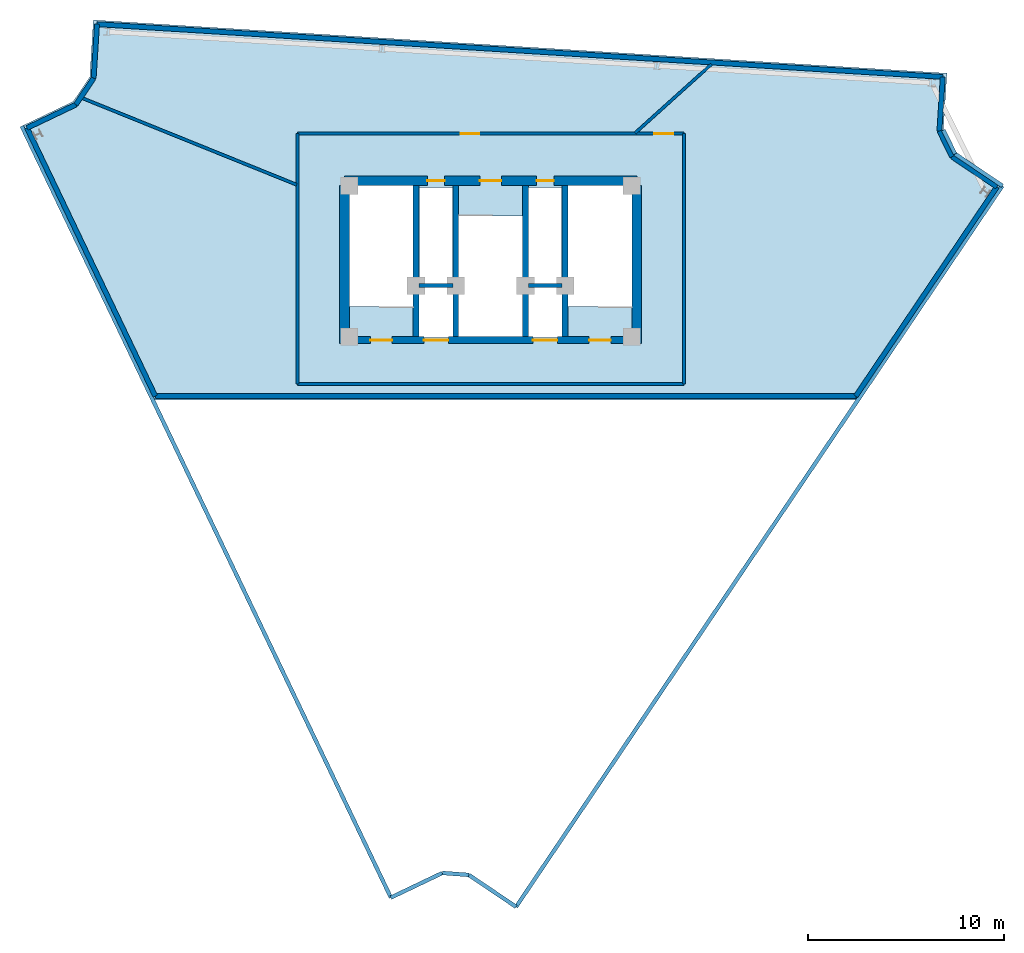
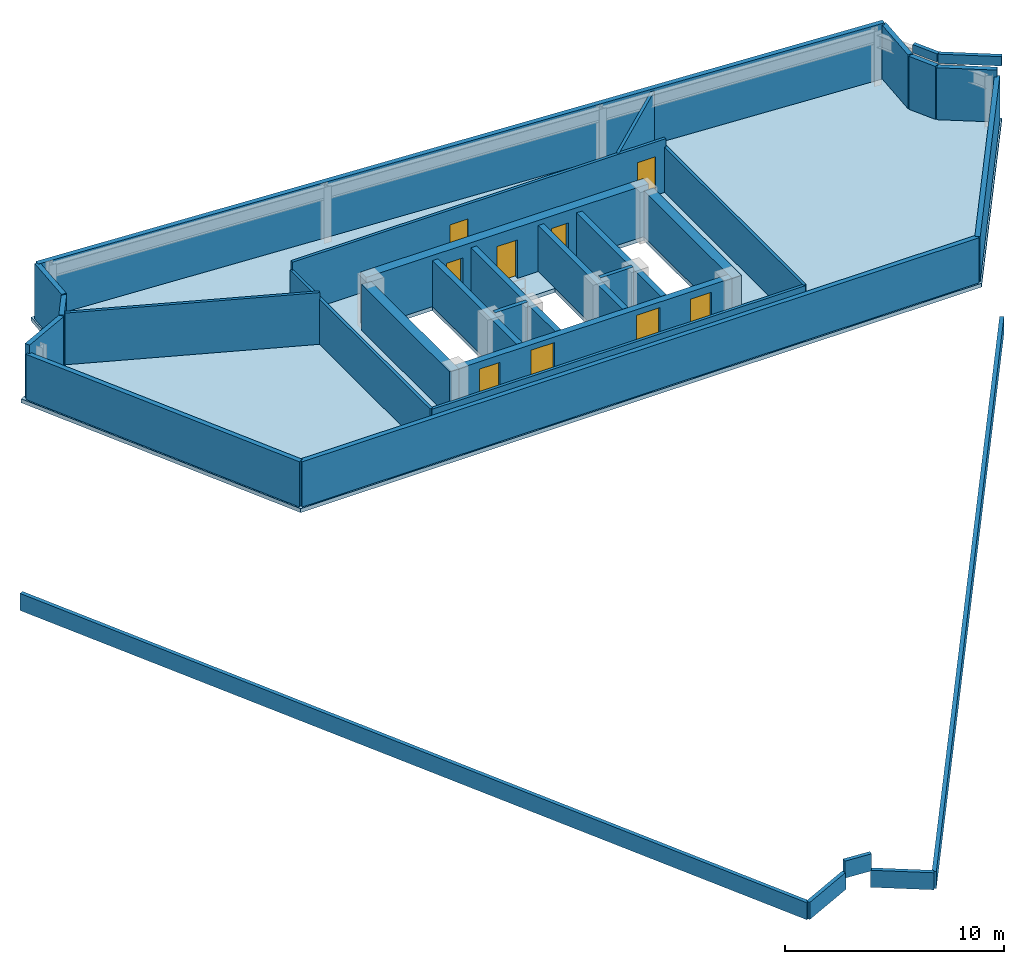
# One storey, part 3 of 4: 33 walls, 9 doors, 1 slab, 9 openings.
"""IFC4 building model written with IfcOpenShell, lengths in metres."""

from ifc_helpers import new_model, si_unit, direction, frame, frame_2d, origin, place, context, subcontext, project, spatial, polyline, rectangle, outline, extrude, material, layer, layer_set, type_object, element, fill, save


model = new_model("IFC4")

# Units and contexts
model_context = context("Model", 3, precision=1e-05, world=origin(), true_north=direction((0.0, 1.0)))
body_context = subcontext(model_context, "Body", "Model", "MODEL_VIEW")
ifc_project = project(units=[si_unit("LENGTHUNIT", "METRE"), si_unit("AREAUNIT", "SQUARE_METRE"), si_unit("VOLUMEUNIT", "CUBIC_METRE"), si_unit("PLANEANGLEUNIT", "RADIAN"), si_unit("MASSUNIT", "GRAM", prefix="KILO")], contexts=[model_context])

# Site, building, storey
site_placement = place(None, origin())
site = spatial("IfcSite", under=ifc_project, at=site_placement, CompositionType="ELEMENT")
building_placement = place(site_placement, origin())
building = spatial("IfcBuilding", under=site, at=building_placement, Name="Apsidion Concourse Tower", CompositionType="ELEMENT")
storey_placement = place(building_placement, frame((0.0, 0.0, 346.5)))
storey = spatial("IfcBuildingStorey", under=building, at=storey_placement, Name="L82", CompositionType="ELEMENT", Elevation=346.5)

# Slab
ifc_material_1 = material(Name="Concrete C50/60", Category="concrete")
ifc_layer_1 = layer(ifc_material_1, 0.219970703125)
ifc_layer_set_1 = layer_set([ifc_layer_1], Name="Concrete C50/60")
slab_type = type_object("IfcSlabType", Name="SL-FLR-220", PredefinedType="FLOOR", material=ifc_layer_set_1)
slab_placement = place(storey_placement, frame((0.0, 0.0, -0.219970703125)))
element("IfcSlab", 1, at=slab_placement, inside=storey, type_object=slab_type, Name="L82 Structural Floor Slab", PredefinedType="FLOOR", context=body_context, shape_type="SweptSolid", body=[
    extrude(outline(polyline([(-23.89111328125, 12.180908203125), (-21.27001953125, 13.43505859375), (-20.424560546875, 14.688232421875), (-20.24365234375, 17.58837890625), (23.251708984375, 14.875732421875), (23.07080078125, 11.9755859375), (23.668701171875, 10.76171875), (26.07763671875, 9.136962890625), (18.714111328125, -1.780029296875), (-17.211669921875, -1.780029296875), (-23.89111328125, 12.180908203125)]), holes=[polyline([(-3.949951171875, 3.0), (-3.949951171875, 9.14990234375), (-7.199951171875, 9.14990234375), (-7.199951171875, 3.0), (-3.949951171875, 3.0)]), polyline([(7.199951171875, 3.0), (7.199951171875, 9.14990234375), (3.949951171875, 9.14990234375), (3.949951171875, 3.0), (7.199951171875, 3.0)]), polyline([(-1.625, 7.60009765625), (-1.625, 1.449951171875), (1.625, 1.449951171875), (1.625, 7.60009765625), (-1.625, 7.60009765625)]), polyline([(-3.7099609375, 1.39990234375), (-1.85009765625, 1.39990234375), (-1.85009765625, 4.0), (-3.7099609375, 4.0), (-3.7099609375, 1.39990234375)]), polyline([(1.85009765625, 1.39990234375), (3.7099609375, 1.39990234375), (3.7099609375, 4.0), (1.85009765625, 4.0), (1.85009765625, 1.39990234375)]), polyline([(-3.6201171875, 4.14990234375), (-1.93994140625, 4.14990234375), (-1.93994140625, 9.050048828125), (-3.6201171875, 9.050048828125), (-3.6201171875, 4.14990234375)]), polyline([(1.93994140625, 4.14990234375), (3.6201171875, 4.14990234375), (3.6201171875, 9.050048828125), (1.93994140625, 9.050048828125), (1.93994140625, 4.14990234375)])]), origin(), (0.0, 0.0, 1.0), 0.219970703125),
])

# Walls
ifc_material_2 = material(Name="Precast concrete C40/50", Category="concrete")
ifc_layer_2 = layer(ifc_material_2, 0.25)
ifc_layer_set_2 = layer_set([ifc_layer_2], Name="Precast concrete C40/50")
wall_type_1 = type_object("IfcWallType", Name="WL-EXT-250", PredefinedType="STANDARD", material=ifc_layer_set_2)
wall_1_placement = place(storey_placement, frame((-23.62451171875, 12.0869140625, 0.0), z_axis=(0.0, 0.0, 1.0), x_axis=(0.902092306117, 0.431543127909, 0.0)))
element("IfcWall", 2, at=wall_1_placement, inside=storey, type_object=wall_type_1, Name="L82 Precast Stone Facade Wall 01", PredefinedType="STANDARD", context=body_context, shape_type="SweptSolid", body=[
    extrude(rectangle(XDim=2.76025390625, YDim=0.25, at=frame_2d((1.380126953125, 0.0))), origin(), (0.0, 0.0, 1.0), 3.00390625),
])
wall_2_placement = place(storey_placement, frame((-21.134521484375, 13.278076171875, 0.0), z_axis=(0.0, 0.0, 1.0), x_axis=(0.559107950815, 0.829094867512, 0.0)))
element("IfcWall", 3, at=wall_2_placement, inside=storey, type_object=wall_type_1, Name="L82 Precast Stone Facade Wall 02", PredefinedType="STANDARD", context=body_context, shape_type="SweptSolid", body=[
    extrude(rectangle(XDim=1.620361328125, YDim=0.25, at=frame_2d((0.81005859375, 0.0))), origin(), (0.0, 0.0, 1.0), 3.0458984375),
])
wall_3_placement = place(storey_placement, frame((-20.228515625, 14.62158203125, 0.0), z_axis=(0.0, 0.0, 1.0), x_axis=(0.062361765106, 0.998053610911, 0.0)))
element("IfcWall", 4, at=wall_3_placement, inside=storey, type_object=wall_type_1, Name="L82 Precast Stone Facade Wall 03", PredefinedType="STANDARD", context=body_context, shape_type="SweptSolid", body=[
    extrude(rectangle(XDim=2.760009765625, YDim=0.25, at=frame_2d((1.3798828125, 0.0))), origin(), (0.0, 0.0, 1.0), 3.093505859375),
])
wall_4_placement = place(storey_placement, frame((-20.056396484375, 17.376220703125, 0.0), z_axis=(0.0, 0.0, 1.0), x_axis=(0.998061236898, -0.06223959674, 0.0)))
element("IfcWall", 5, at=wall_4_placement, inside=storey, type_object=wall_type_1, Name="L82 Precast Stone Facade Wall 04", PredefinedType="STANDARD", context=body_context, shape_type="SweptSolid", body=[
    extrude(rectangle(XDim=43.179931640625, YDim=0.25, at=frame_2d((21.58984375, 0.0))), origin(), (0.0, 0.0, 1.0), 3.095947265625),
])
wall_5_placement = place(storey_placement, frame((23.039794921875, 14.688720703125, 0.0), z_axis=(0.0, 0.0, 1.0), x_axis=(-0.062295651102, -0.998057739739, 0.0)))
element("IfcWall", 6, at=wall_5_placement, inside=storey, type_object=wall_type_1, Name="L82 Precast Stone Facade Wall 05", PredefinedType="STANDARD", context=body_context, shape_type="SweptSolid", body=[
    extrude(rectangle(XDim=2.759033203125, YDim=0.25, at=frame_2d((1.37939453125, 0.0))), origin(), (0.0, 0.0, 1.0), 2.99853515625),
])
wall_6_placement = place(storey_placement, frame((22.867919921875, 11.93505859375, 0.0), z_axis=(0.0, 0.0, 1.0), x_axis=(0.441785524615, -0.897120699929, 0.0)))
element("IfcWall", 7, at=wall_6_placement, inside=storey, type_object=wall_type_1, Name="L82 Precast Stone Facade Wall 06", PredefinedType="STANDARD", context=body_context, shape_type="SweptSolid", body=[
    extrude(rectangle(XDim=1.45947265625, YDim=0.25, at=frame_2d((0.729736328125, 0.0))), origin(), (0.0, 0.0, 1.0), 2.9521484375),
])
wall_7_placement = place(storey_placement, frame((23.5126953125, 10.625732421875, 0.0), z_axis=(0.0, 0.0, 1.0), x_axis=(0.829056864924, -0.559164300294, 0.0)))
element("IfcWall", 8, at=wall_7_placement, inside=storey, type_object=wall_type_1, Name="L82 Precast Stone Facade Wall 07", PredefinedType="STANDARD", context=body_context, shape_type="SweptSolid", body=[
    extrude(rectangle(XDim=2.759033203125, YDim=0.25, at=frame_2d((1.37939453125, 0.0))), origin(), (0.0, 0.0, 1.0), 2.897705078125),
])
wall_8_placement = place(storey_placement, frame((25.800048828125, 9.0830078125, 0.0), z_axis=(0.0, 0.0, 1.0), x_axis=(-0.559195069353, -0.829036111645, 0.0)))
element("IfcWall", 9, at=wall_8_placement, inside=storey, type_object=wall_type_1, Name="L82 Precast Stone Facade Wall 08", PredefinedType="STANDARD", context=body_context, shape_type="SweptSolid", body=[
    extrude(rectangle(XDim=12.862060546875, YDim=0.25, at=frame_2d((6.43115234375, 0.0))), origin(), (0.0, 0.0, 1.0), 2.520751953125),
])
wall_9_placement = place(storey_placement, frame((18.607666015625, -1.580078125, 0.0), z_axis=(0.0, 0.0, 1.0), x_axis=(-1.0, 0.0, 0.0)))
element("IfcWall", 10, at=wall_9_placement, inside=storey, type_object=wall_type_1, Name="L82 Precast Stone Facade Wall 09", PredefinedType="STANDARD", context=body_context, shape_type="SweptSolid", body=[
    extrude(rectangle(XDim=35.693359375, YDim=0.25, at=frame_2d((17.8466796875, 0.0))), origin(), (0.0, 0.0, 1.0), 2.520751953125),
])
wall_10_placement = place(storey_placement, frame((-17.085693359375, -1.580078125, 0.0), z_axis=(0.0, 0.0, 1.0), x_axis=(-0.43158606722, 0.902071763543, 0.0)))
element("IfcWall", 11, at=wall_10_placement, inside=storey, type_object=wall_type_1, Name="L82 Precast Stone Facade Wall 10", PredefinedType="STANDARD", context=body_context, shape_type="SweptSolid", body=[
    extrude(rectangle(XDim=15.150634765625, YDim=0.25, at=frame_2d((7.5751953125, 0.0))), origin(), (0.0, 0.0, 1.0), 2.520751953125),
])

# Wall, openings, doors
ifc_material_3 = material(Name="Gypsum plasterboard partition")
ifc_layer_3 = layer(ifc_material_3, 0.14990234375)
ifc_layer_set_3 = layer_set([ifc_layer_3], Name="Gypsum plasterboard partition")
wall_type_2 = type_object("IfcWallType", Name="WL-INT-PAR-150", PredefinedType="PARTITIONING", material=ifc_layer_set_3)
wall_11_placement = place(storey_placement, frame((-9.85009765625, 11.800048828125, 0.0), z_axis=(0.0, 0.0, 1.0), x_axis=(1.0, 0.0, 0.0)))
wall_11 = element("IfcWall", 12, at=wall_11_placement, inside=storey, type_object=wall_type_2, Name="L82 Interior Partition WL-L82-CCR-1", PredefinedType="PARTITIONING", context=body_context, shape_type="SweptSolid", body=[
    extrude(rectangle(XDim=19.7001953125, YDim=0.14990234375, at=frame_2d((9.85009765625, 0.0))), origin(), (0.0, 0.0, 1.0), 2.9736328125),
])
opening_1_placement = place(wall_11_placement, frame((18.19921875, 0.0, 0.0)))
opening_1 = element("IfcOpeningElement", 13, at=opening_1_placement, cuts=wall_11, Name="Opening D-04L", PredefinedType="OPENING", context=body_context, shape_type="SweptSolid", body=[
    extrude(rectangle(XDim=0.949951171875, YDim=2.14990234375, at=frame_2d((0.47509765625, 1.074951171875))), frame((0.0, 0.0849609375, 0.0), z_axis=(0.0, -1.0, 0.0), x_axis=(1.0, 0.0, 0.0)), (0.0, 0.0, 1.0), 0.169921875),
])
opening_2_placement = place(wall_11_placement, frame((8.317138671875, 0.0, 0.0)))
opening_2 = element("IfcOpeningElement", 14, at=opening_2_placement, cuts=wall_11, Name="Opening D-04R", PredefinedType="OPENING", context=body_context, shape_type="SweptSolid", body=[
    extrude(rectangle(XDim=0.949951171875, YDim=2.14990234375, at=frame_2d((0.47509765625, 1.074951171875))), frame((0.0, 0.0849609375, 0.0), z_axis=(0.0, -1.0, 0.0), x_axis=(1.0, 0.0, 0.0)), (0.0, 0.0, 1.0), 0.169921875),
])
ifc_material_4 = material(Name="Brushed stainless steel 316", Category="steel")
door_type_1 = type_object("IfcDoorType", Name="DR-INT-D04L", OperationType="SINGLE_SWING_LEFT", PredefinedType="DOOR", material=ifc_material_4)
door_1_placement = place(opening_1_placement, origin())
door_1 = element("IfcDoor", 15, at=door_1_placement, inside=storey, type_object=door_type_1, Name="L82 Crown Plant Door 1", OperationType="SINGLE_SWING_LEFT", OverallHeight=2.14990234375, OverallWidth=0.949951171875, PredefinedType="DOOR", context=body_context, shape_type="SweptSolid", body=[
    extrude(rectangle(XDim=0.949951171875, YDim=2.14990234375, at=frame_2d((0.47509765625, 1.074951171875))), frame((0.0, 0.02490234375, 0.0), z_axis=(0.0, -1.0, 0.0), x_axis=(1.0, 0.0, 0.0)), (0.0, 0.0, 1.0), 0.050048828125),
])
fill(opening_1, door_1)
door_type_2 = type_object("IfcDoorType", Name="DR-INT-D04R", OperationType="SINGLE_SWING_RIGHT", PredefinedType="DOOR", material=ifc_material_4)
door_2_placement = place(opening_2_placement, origin())
door_2 = element("IfcDoor", 16, at=door_2_placement, inside=storey, type_object=door_type_2, Name="L82 Crown Plant Door 2", OperationType="SINGLE_SWING_RIGHT", OverallHeight=2.14990234375, OverallWidth=0.949951171875, PredefinedType="DOOR", context=body_context, shape_type="SweptSolid", body=[
    extrude(rectangle(XDim=0.949951171875, YDim=2.14990234375, at=frame_2d((0.47509765625, 1.074951171875))), frame((0.0, 0.02490234375, 0.0), z_axis=(0.0, -1.0, 0.0), x_axis=(1.0, 0.0, 0.0)), (0.0, 0.0, 1.0), 0.050048828125),
])
fill(opening_2, door_2)

# Walls
wall_12_placement = place(storey_placement, frame((9.85009765625, 11.800048828125, 0.0), z_axis=(0.0, 0.0, 1.0), x_axis=(0.0, -1.0, 0.0)))
element("IfcWall", 17, at=wall_12_placement, inside=storey, type_object=wall_type_2, Name="L82 Interior Partition WL-L82-CCR-2", PredefinedType="PARTITIONING", context=body_context, shape_type="SweptSolid", body=[
    extrude(rectangle(XDim=12.77001953125, YDim=0.14990234375, at=frame_2d((6.385009765625, 0.0))), origin(), (0.0, 0.0, 1.0), 2.522216796875),
])
wall_13_placement = place(storey_placement, frame((9.85009765625, -0.969970703125, 0.0), z_axis=(0.0, 0.0, 1.0), x_axis=(-1.0, 0.0, 0.0)))
element("IfcWall", 18, at=wall_13_placement, inside=storey, type_object=wall_type_2, Name="L82 Interior Partition WL-L82-CCR-3", PredefinedType="PARTITIONING", context=body_context, shape_type="SweptSolid", body=[
    extrude(rectangle(XDim=19.7001953125, YDim=0.14990234375, at=frame_2d((9.85009765625, 0.0))), origin(), (0.0, 0.0, 1.0), 2.522216796875),
])
wall_14_placement = place(storey_placement, frame((-9.85009765625, -0.969970703125, 0.0), z_axis=(0.0, 0.0, 1.0), x_axis=(0.0, 1.0, 0.0)))
element("IfcWall", 19, at=wall_14_placement, inside=storey, type_object=wall_type_2, Name="L82 Interior Partition WL-L82-CCR-4", PredefinedType="PARTITIONING", context=body_context, shape_type="SweptSolid", body=[
    extrude(rectangle(XDim=12.77001953125, YDim=0.14990234375, at=frame_2d((6.385009765625, 0.0))), origin(), (0.0, 0.0, 1.0), 2.522216796875),
])
wall_15_placement = place(storey_placement, frame((7.36328125, 11.830078125, 0.0), z_axis=(0.0, 0.0, 1.0), x_axis=(0.743159656639, 0.669114134318, 0.0)))
element("IfcWall", 20, at=wall_15_placement, inside=storey, type_object=wall_type_2, Name="L82 Interior Partition WL-L82-CRD-1-1", PredefinedType="PARTITIONING", context=body_context, shape_type="SweptSolid", body=[
    extrude(rectangle(XDim=5.23583984375, YDim=0.14990234375, at=frame_2d((2.617919921875, 0.0))), origin(), (0.0, 0.0, 1.0), 2.974853515625),
])
wall_16_placement = place(storey_placement, frame((-9.8798828125, 9.19189453125, 0.0), z_axis=(0.0, 0.0, 1.0), x_axis=(-0.927189392812, 0.374592885487, 0.0)))
element("IfcWall", 21, at=wall_16_placement, inside=storey, type_object=wall_type_2, Name="L82 Interior Partition WL-L82-CRD-2-1", PredefinedType="PARTITIONING", context=body_context, shape_type="SweptSolid", body=[
    extrude(rectangle(XDim=11.782958984375, YDim=0.14990234375, at=frame_2d((5.8916015625, 0.0))), origin(), (0.0, 0.0, 1.0), 2.881591796875),
])
ifc_layer_4 = layer(ifc_material_3, 0.199951171875)
ifc_layer_set_4 = layer_set([ifc_layer_4], Name="Gypsum plasterboard partition")
wall_type_3 = type_object("IfcWallType", Name="WL-INT-PAR-200", PredefinedType="PARTITIONING", material=ifc_layer_set_4)
for number, where, z_axis, x_axis, name in (
    (22, (-3.64990234375, 4.050048828125, 0.0), (0.0, 0.0, 1.0), (1.0, 0.0, 0.0), "L82 Interior Partition WL-L82-FF1-N"),
    (23, (1.919921875, 4.050048828125, 0.0), (0.0, 0.0, 1.0), (1.0, 0.0, 0.0), "L82 Interior Partition WL-L82-FF2-N"),
):
    element("IfcWall", number, at=place(storey_placement, frame(where, z_axis=z_axis, x_axis=x_axis)), inside=storey, type_object=wall_type_3, Name=name, PredefinedType="PARTITIONING", context=body_context, shape_type="SweptSolid", body=[
        extrude(rectangle(XDim=1.72998046875, YDim=0.199951171875, at=frame_2d((0.864990234375, 0.0))), origin(), (0.0, 0.0, 1.0), 2.69970703125),
    ])
ifc_layer_5 = layer(ifc_material_2, 0.199951171875)
ifc_layer_set_5 = layer_set([ifc_layer_5], Name="Precast concrete C40/50")
wall_type_4 = type_object("IfcWallType", Name="WL-PAR-200", PredefinedType="PARAPET", material=ifc_layer_set_5)
wall_17_placement = place(storey_placement, frame((-23.89111328125, 12.180908203125, -11.745361328125), z_axis=(0.0, 0.0, 1.0), x_axis=(0.431594451108, -0.902067752318, 0.0)))
element("IfcWall", 24, at=wall_17_placement, inside=storey, type_object=wall_type_4, Name="Slanted Crown Coping Parapet 04", PredefinedType="PARAPET", context=body_context, shape_type="SweptSolid", body=[
    extrude(rectangle(XDim=43.579833984375, YDim=0.199951171875, at=frame_2d((21.7900390625, 0.0))), origin(), (0.0, 0.0, 1.0), 0.949951171875),
])
wall_18_placement = place(storey_placement, frame((-5.082275390625, -27.131103515625, -11.745361328125), z_axis=(0.0, 0.0, 1.0), x_axis=(0.902088714035, 0.43155063667, 0.0)))
element("IfcWall", 25, at=wall_18_placement, inside=storey, type_object=wall_type_4, Name="Slanted Crown Coping Parapet 05", PredefinedType="PARAPET", context=body_context, shape_type="SweptSolid", body=[
    extrude(rectangle(XDim=2.905517578125, YDim=0.199951171875, at=frame_2d((1.45263671875, 0.0))), origin(), (0.0, 0.0, 1.0), 0.949951171875),
])
wall_19_placement = place(storey_placement, frame((-2.461181640625, -25.877197265625, -11.0966796875), z_axis=(0.0, 0.0, 1.0), x_axis=(0.997299662765, -0.073439653111, 0.0)))
element("IfcWall", 26, at=wall_19_placement, inside=storey, type_object=wall_type_4, Name="Slanted Crown Coping Parapet 06", PredefinedType="PARAPET", context=body_context, shape_type="SweptSolid", body=[
    extrude(rectangle(XDim=1.35302734375, YDim=0.199951171875, at=frame_2d((0.676513671875, 0.0))), origin(), (0.0, 0.0, 1.0), 0.9501953125),
])
wall_20_placement = place(storey_placement, frame((-1.11181640625, -25.9765625, -12.009521484375), z_axis=(0.0, 0.0, 1.0), x_axis=(0.82901324862, -0.559228963496, 0.0)))
element("IfcWall", 27, at=wall_20_placement, inside=storey, type_object=wall_type_4, Name="Slanted Crown Coping Parapet 07", PredefinedType="PARAPET", context=body_context, shape_type="SweptSolid", body=[
    extrude(rectangle(XDim=2.90576171875, YDim=0.199951171875, at=frame_2d((1.452880859375, 0.0))), origin(), (0.0, 0.0, 1.0), 0.949951171875),
])
wall_21_placement = place(storey_placement, frame((1.297119140625, -27.6015625, -12.009521484375), z_axis=(0.0, 0.0, 1.0), x_axis=(0.559193978377, 0.82903684752, 0.0)))
element("IfcWall", 28, at=wall_21_placement, inside=storey, type_object=wall_type_4, Name="Slanted Crown Coping Parapet 08", PredefinedType="PARAPET", context=body_context, shape_type="SweptSolid", body=[
    extrude(rectangle(XDim=44.314697265625, YDim=0.199951171875, at=frame_2d((22.1572265625, 0.0))), origin(), (0.0, 0.0, 1.0), 0.949951171875),
])
wall_22_placement = place(storey_placement, frame((26.07763671875, 9.136962890625, 2.9794921875), z_axis=(0.0, 0.0, 1.0), x_axis=(-0.829052200233, 0.559171216434, 0.0)))
element("IfcWall", 29, at=wall_22_placement, inside=storey, type_object=wall_type_4, Name="Slanted Crown Coping Parapet 09", PredefinedType="PARAPET", context=body_context, shape_type="SweptSolid", body=[
    extrude(rectangle(XDim=2.90576171875, YDim=0.199951171875, at=frame_2d((1.452880859375, 0.0))), origin(), (0.0, 0.0, 1.0), 0.5205078125),
])
wall_23_placement = place(storey_placement, frame((23.668701171875, 10.76171875, 3.037109375), z_axis=(0.0, 0.0, 1.0), x_axis=(-0.44186499282, 0.897081561576, 0.0)))
element("IfcWall", 30, at=wall_23_placement, inside=storey, type_object=wall_type_4, Name="Slanted Crown Coping Parapet 10", PredefinedType="PARAPET", context=body_context, shape_type="SweptSolid", body=[
    extrude(rectangle(XDim=1.35302734375, YDim=0.199951171875, at=frame_2d((0.676513671875, 0.0))), origin(), (0.0, 0.0, 1.0), 0.462890625),
])
ifc_layer_6 = layer(ifc_material_1, 0.300048828125)
ifc_layer_set_6 = layer_set([ifc_layer_6], Name="Concrete C50/60")
wall_type_5 = type_object("IfcWallType", Name="WL-SH-300", PredefinedType="SHEAR", material=ifc_layer_set_6)
for number, where, z_axis, x_axis, name in (
    (31, (-3.800048828125, 1.449951171875, 0.0), (0.0, 0.0, 1.0), (0.0, 1.0, 0.0), "L82 Central Core Shear Wall V1"),
    (32, (-1.77490234375, 1.449951171875, 0.0), (0.0, 0.0, 1.0), (0.0, 1.0, 0.0), "L82 Central Core Shear Wall V2"),
    (33, (1.77490234375, 1.449951171875, 0.0), (0.0, 0.0, 1.0), (0.0, 1.0, 0.0), "L82 Central Core Shear Wall V3"),
    (34, (3.800048828125, 1.449951171875, 0.0), (0.0, 0.0, 1.0), (0.0, 1.0, 0.0), "L82 Central Core Shear Wall V4"),
):
    element("IfcWall", number, at=place(storey_placement, frame(where, z_axis=z_axis, x_axis=x_axis)), inside=storey, type_object=wall_type_5, Name=name, PredefinedType="SHEAR", context=body_context, shape_type="SweptSolid", body=[
        extrude(rectangle(XDim=7.699951171875, YDim=0.300048828125, at=frame_2d((3.85009765625, 0.0))), origin(), (0.0, 0.0, 1.0), 2.56787109375),
    ])

# Wall, openings, doors
ifc_layer_7 = layer(ifc_material_1, 0.35009765625)
ifc_layer_set_7 = layer_set([ifc_layer_7], Name="Concrete C50/60")
wall_type_6 = type_object("IfcWallType", Name="WL-SH-350", PredefinedType="SHEAR", material=ifc_layer_set_7)
wall_24_placement = place(storey_placement, frame((-7.199951171875, 1.27490234375, 0.0), z_axis=(0.0, 0.0, 1.0), x_axis=(1.0, 0.0, 0.0)))
wall_24 = element("IfcWall", 35, at=wall_24_placement, inside=storey, type_object=wall_type_6, Name="L82 Central Core Shear Wall M1", PredefinedType="SHEAR", context=body_context, shape_type="SweptSolid", body=[
    extrude(rectangle(XDim=14.39990234375, YDim=0.35009765625, at=frame_2d((7.199951171875, 0.0))), origin(), (0.0, 0.0, 1.0), 2.5615234375),
])
opening_3_placement = place(wall_24_placement, frame((3.794921875, 0.0, 0.0)))
opening_3 = element("IfcOpeningElement", 36, at=opening_3_placement, cuts=wall_24, Name="Opening LD-FF", PredefinedType="OPENING", context=body_context, shape_type="SweptSolid", body=[
    extrude(rectangle(XDim=1.25, YDim=2.25, at=frame_2d((0.625, 1.125))), frame((0.0, 0.18505859375, 0.0), z_axis=(0.0, -1.0, 0.0), x_axis=(1.0, 0.0, 0.0)), (0.0, 0.0, 1.0), 0.3701171875),
])
opening_4_placement = place(wall_24_placement, frame((9.35498046875, 0.0, 0.0)))
opening_4 = element("IfcOpeningElement", 37, at=opening_4_placement, cuts=wall_24, Name="Opening LD-FF", PredefinedType="OPENING", context=body_context, shape_type="SweptSolid", body=[
    extrude(rectangle(XDim=1.25, YDim=2.25, at=frame_2d((0.625, 1.125))), frame((0.0, 0.18505859375, 0.0), z_axis=(0.0, -1.0, 0.0), x_axis=(1.0, 0.0, 0.0)), (0.0, 0.0, 1.0), 0.3701171875),
])
opening_5_placement = place(wall_24_placement, frame((1.074951171875, 0.0, 0.0)))
opening_5 = element("IfcOpeningElement", 38, at=opening_5_placement, cuts=wall_24, Name="Opening D-STL", PredefinedType="OPENING", context=body_context, shape_type="SweptSolid", body=[
    extrude(rectangle(XDim=1.10009765625, YDim=2.14990234375, at=frame_2d((0.550048828125, 1.074951171875))), frame((0.0, 0.18505859375, 0.0), z_axis=(0.0, -1.0, 0.0), x_axis=(1.0, 0.0, 0.0)), (0.0, 0.0, 1.0), 0.3701171875),
])
opening_6_placement = place(wall_24_placement, frame((12.22509765625, 0.0, 0.0)))
opening_6 = element("IfcOpeningElement", 39, at=opening_6_placement, cuts=wall_24, Name="Opening D-STR", PredefinedType="OPENING", context=body_context, shape_type="SweptSolid", body=[
    extrude(rectangle(XDim=1.10009765625, YDim=2.14990234375, at=frame_2d((0.550048828125, 1.074951171875))), frame((0.0, 0.18505859375, 0.0), z_axis=(0.0, -1.0, 0.0), x_axis=(1.0, 0.0, 0.0)), (0.0, 0.0, 1.0), 0.3701171875),
])
door_type_3 = type_object("IfcDoorType", Name="DR-INT-ST1L", OperationType="SINGLE_SWING_LEFT", PredefinedType="DOOR", material=ifc_material_4)
door_3_placement = place(opening_5_placement, origin())
door_3 = element("IfcDoor", 40, at=door_3_placement, inside=storey, type_object=door_type_3, Name="L82 Core Exit Stair ST1 Door", OperationType="SINGLE_SWING_LEFT", OverallHeight=2.14990234375, OverallWidth=1.10009765625, PredefinedType="DOOR", context=body_context, shape_type="SweptSolid", body=[
    extrude(rectangle(XDim=1.10009765625, YDim=2.14990234375, at=frame_2d((0.550048828125, 1.074951171875))), frame((0.0, 0.02490234375, 0.0), z_axis=(0.0, -1.0, 0.0), x_axis=(1.0, 0.0, 0.0)), (0.0, 0.0, 1.0), 0.050048828125),
])
fill(opening_5, door_3)
door_type_4 = type_object("IfcDoorType", Name="DR-INT-ST1R", OperationType="SINGLE_SWING_RIGHT", PredefinedType="DOOR", material=ifc_material_4)
door_4_placement = place(opening_6_placement, origin())
door_4 = element("IfcDoor", 41, at=door_4_placement, inside=storey, type_object=door_type_4, Name="L82 Core Exit Stair ST2 Door", OperationType="SINGLE_SWING_RIGHT", OverallHeight=2.14990234375, OverallWidth=1.10009765625, PredefinedType="DOOR", context=body_context, shape_type="SweptSolid", body=[
    extrude(rectangle(XDim=1.10009765625, YDim=2.14990234375, at=frame_2d((0.550048828125, 1.074951171875))), frame((0.0, 0.02490234375, 0.0), z_axis=(0.0, -1.0, 0.0), x_axis=(1.0, 0.0, 0.0)), (0.0, 0.0, 1.0), 0.050048828125),
])
fill(opening_6, door_4)
door_type_5 = type_object("IfcDoorType", Name="DR-LD-FSAE", OperationType="DOUBLE_DOOR_SLIDING", PredefinedType="DOOR", material=ifc_material_4)
door_5_placement = place(opening_3_placement, origin())
door_5 = element("IfcDoor", 42, at=door_5_placement, inside=storey, type_object=door_type_5, Name="L82 Lift Landing Door FF1", OperationType="DOUBLE_DOOR_SLIDING", OverallHeight=2.25, OverallWidth=1.25, PredefinedType="DOOR", context=body_context, shape_type="SweptSolid", body=[
    extrude(rectangle(XDim=1.25, YDim=2.25, at=frame_2d((0.625, 1.125))), frame((0.0, 0.02490234375, 0.0), z_axis=(0.0, -1.0, 0.0), x_axis=(1.0, 0.0, 0.0)), (0.0, 0.0, 1.0), 0.050048828125),
])
fill(opening_3, door_5)
door_6_placement = place(opening_4_placement, origin())
door_6 = element("IfcDoor", 43, at=door_6_placement, inside=storey, type_object=door_type_5, Name="L82 Lift Landing Door FF2", OperationType="DOUBLE_DOOR_SLIDING", OverallHeight=2.25, OverallWidth=1.25, PredefinedType="DOOR", context=body_context, shape_type="SweptSolid", body=[
    extrude(rectangle(XDim=1.25, YDim=2.25, at=frame_2d((0.625, 1.125))), frame((0.0, 0.02490234375, 0.0), z_axis=(0.0, -1.0, 0.0), x_axis=(1.0, 0.0, 0.0)), (0.0, 0.0, 1.0), 0.050048828125),
])
fill(opening_4, door_6)

ifc_layer_8 = layer(ifc_material_1, 0.5)
ifc_layer_set_8 = layer_set([ifc_layer_8], Name="Concrete C50/60")
wall_type_7 = type_object("IfcWallType", Name="WL-SH-500", PredefinedType="SHEAR", material=ifc_layer_set_8)
wall_25_placement = place(storey_placement, frame((-7.449951171875, 9.39990234375, 0.0), z_axis=(0.0, 0.0, 1.0), x_axis=(1.0, 0.0, 0.0)))
wall_25 = element("IfcWall", 44, at=wall_25_placement, inside=storey, type_object=wall_type_7, Name="L82 Central Core Shear Wall N", PredefinedType="SHEAR", context=body_context, shape_type="SweptSolid", body=[
    extrude(rectangle(XDim=14.89990234375, YDim=0.5, at=frame_2d((7.449951171875, 0.0))), origin(), (0.0, 0.0, 1.0), 2.848876953125),
])
opening_7_placement = place(wall_25_placement, frame((6.89990234375, 0.0, 0.0)))
opening_7 = element("IfcOpeningElement", 45, at=opening_7_placement, cuts=wall_25, Name="Opening D-STL", PredefinedType="OPENING", context=body_context, shape_type="SweptSolid", body=[
    extrude(rectangle(XDim=1.10009765625, YDim=2.14990234375, at=frame_2d((0.550048828125, 1.074951171875))), frame((0.0, 0.260009765625, 0.0), z_axis=(0.0, -1.0, 0.0), x_axis=(1.0, 0.0, 0.0)), (0.0, 0.0, 1.0), 0.52001953125),
])
opening_8_placement = place(wall_25_placement, frame((4.22998046875, 0.0, 0.0)))
opening_8 = element("IfcOpeningElement", 46, at=opening_8_placement, cuts=wall_25, Name="Opening D-05L", PredefinedType="OPENING", context=body_context, shape_type="SweptSolid", body=[
    extrude(rectangle(XDim=0.8798828125, YDim=2.14990234375, at=frame_2d((0.43994140625, 1.074951171875))), frame((0.0, 0.260009765625, 0.0), z_axis=(0.0, -1.0, 0.0), x_axis=(1.0, 0.0, 0.0)), (0.0, 0.0, 1.0), 0.52001953125),
])
opening_9_placement = place(wall_25_placement, frame((9.7900390625, 0.0, 0.0)))
opening_9 = element("IfcOpeningElement", 47, at=opening_9_placement, cuts=wall_25, Name="Opening D-05R", PredefinedType="OPENING", context=body_context, shape_type="SweptSolid", body=[
    extrude(rectangle(XDim=0.8798828125, YDim=2.14990234375, at=frame_2d((0.43994140625, 1.074951171875))), frame((0.0, 0.260009765625, 0.0), z_axis=(0.0, -1.0, 0.0), x_axis=(1.0, 0.0, 0.0)), (0.0, 0.0, 1.0), 0.52001953125),
])
door_type_6 = type_object("IfcDoorType", Name="DR-INT-D05L", OperationType="SINGLE_SWING_LEFT", PredefinedType="DOOR", material=ifc_material_4)
door_7_placement = place(opening_8_placement, origin())
door_7 = element("IfcDoor", 48, at=door_7_placement, inside=storey, type_object=door_type_6, Name="L82 Electrical Riser Shaft Access Door", OperationType="SINGLE_SWING_LEFT", OverallHeight=2.14990234375, OverallWidth=0.8798828125, PredefinedType="DOOR", context=body_context, shape_type="SweptSolid", body=[
    extrude(rectangle(XDim=0.8798828125, YDim=2.14990234375, at=frame_2d((0.43994140625, 1.074951171875))), frame((0.0, 0.02490234375, 0.0), z_axis=(0.0, -1.0, 0.0), x_axis=(1.0, 0.0, 0.0)), (0.0, 0.0, 1.0), 0.050048828125),
])
fill(opening_8, door_7)
door_type_7 = type_object("IfcDoorType", Name="DR-INT-D05R", OperationType="SINGLE_SWING_RIGHT", PredefinedType="DOOR", material=ifc_material_4)
door_8_placement = place(opening_9_placement, origin())
door_8 = element("IfcDoor", 49, at=door_8_placement, inside=storey, type_object=door_type_7, Name="L82 Mechanical Riser Shaft Access Door", OperationType="SINGLE_SWING_RIGHT", OverallHeight=2.14990234375, OverallWidth=0.8798828125, PredefinedType="DOOR", context=body_context, shape_type="SweptSolid", body=[
    extrude(rectangle(XDim=0.8798828125, YDim=2.14990234375, at=frame_2d((0.43994140625, 1.074951171875))), frame((0.0, 0.02490234375, 0.0), z_axis=(0.0, -1.0, 0.0), x_axis=(1.0, 0.0, 0.0)), (0.0, 0.0, 1.0), 0.050048828125),
])
fill(opening_9, door_8)
door_9_placement = place(opening_7_placement, origin())
door_9 = element("IfcDoor", 50, at=door_9_placement, inside=storey, type_object=door_type_3, Name="L82 Core Exit Stair ST3 Door", OperationType="SINGLE_SWING_LEFT", OverallHeight=2.14990234375, OverallWidth=1.10009765625, PredefinedType="DOOR", context=body_context, shape_type="SweptSolid", body=[
    extrude(rectangle(XDim=1.10009765625, YDim=2.14990234375, at=frame_2d((0.550048828125, 1.074951171875))), frame((0.0, 0.02490234375, 0.0), z_axis=(0.0, -1.0, 0.0), x_axis=(1.0, 0.0, 0.0)), (0.0, 0.0, 1.0), 0.050048828125),
])
fill(opening_7, door_9)

# Walls
for number, where, z_axis, x_axis, name in (
    (51, (-7.449951171875, 1.10009765625, 0.0), (0.0, 0.0, 1.0), (0.0, 1.0, 0.0), "L82 Central Core Shear Wall WN"),
    (52, (7.449951171875, 1.10009765625, 0.0), (0.0, 0.0, 1.0), (0.0, 1.0, 0.0), "L82 Central Core Shear Wall EN"),
):
    element("IfcWall", number, at=place(storey_placement, frame(where, z_axis=z_axis, x_axis=x_axis)), inside=storey, type_object=wall_type_7, Name=name, PredefinedType="SHEAR", context=body_context, shape_type="SweptSolid", body=[
        extrude(rectangle(XDim=8.0498046875, YDim=0.5, at=frame_2d((4.02490234375, 0.0))), origin(), (0.0, 0.0, 1.0), 2.555419921875),
    ])

save(model, "model.ifc")
